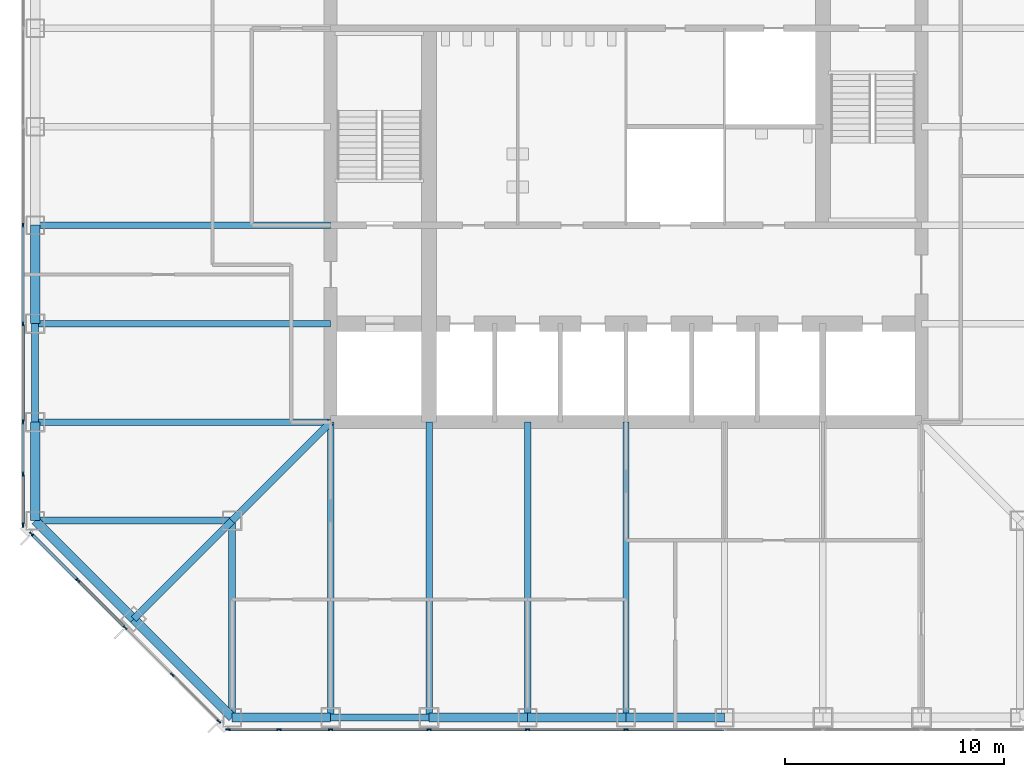
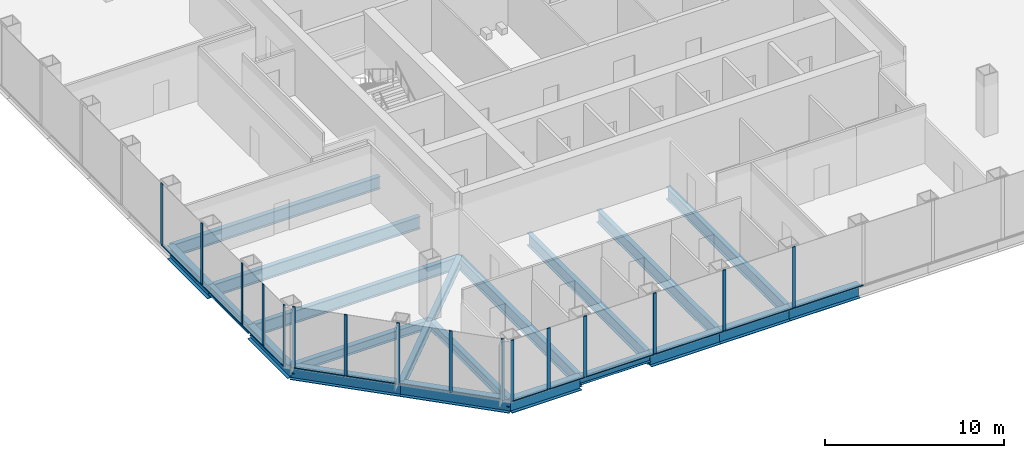
# One storey, part 2 of 12: 28 members, 21 beams, 3 elements without a shape of their own.
"""IFC4 building model written with IfcOpenShell, lengths in metres."""

from ifc_helpers import new_model, si_unit, direction, frame, origin, origin_2d, place, context, subcontext, project, spatial, rectangle, i_section, extrude, material, material_profile, profile_set, type_object, element, aggregate, save


model = new_model("IFC4")

# Units and contexts
model_context = context("Model", 3, precision=1e-05, world=origin(), true_north=direction((0.0, 1.0)))
body_context = subcontext(model_context, "Body", "Model", "MODEL_VIEW")
ifc_project = project(units=[si_unit("LENGTHUNIT", "METRE"), si_unit("AREAUNIT", "SQUARE_METRE"), si_unit("VOLUMEUNIT", "CUBIC_METRE"), si_unit("PLANEANGLEUNIT", "RADIAN"), si_unit("MASSUNIT", "GRAM", prefix="KILO")], contexts=[model_context])

# Site, building, storey
site_placement = place(None, origin())
site = spatial("IfcSite", under=ifc_project, at=site_placement, CompositionType="ELEMENT")
building_placement = place(site_placement, origin())
building = spatial("IfcBuilding", under=site, at=building_placement, Name="Corais Broadcast Tower", CompositionType="ELEMENT")
storey_placement = place(building_placement, frame((0.0, 0.0, 100.39990234375)))
storey = spatial("IfcBuildingStorey", under=building, at=storey_placement, Name="L22", CompositionType="ELEMENT", Elevation=100.39990234375)

# Beams
ifc_material_1 = material(Name="Steel ASTM A572 Grade 50", Category="steel")
ifc_material_profile_1 = material_profile(ifc_material_1, i_section(OverallWidth=0.323974609375, OverallDepth=0.611083984375, WebThickness=0.0126953125, FlangeThickness=0.01904296875, at=origin_2d()), Name="W610x155")
ifc_profile_set_1 = profile_set([ifc_material_profile_1], Name="Steel ASTM A572 Grade 50")
beam_type_1 = type_object("IfcBeamType", Name="Chamfer tie W610x155", PredefinedType="BEAM", material=ifc_profile_set_1)
beam_1_placement = place(storey_placement, frame((4.5, 4.5, -0.46533203125), z_axis=(0.707106781187, 0.707106781187, 0.0), x_axis=(-0.707106781187, 0.707106781187, 0.0)))
element("IfcBeam", 1, at=beam_1_placement, inside=storey, type_object=beam_type_1, Name="B5 B/4 to C/5", PredefinedType="BEAM", context=body_context, shape_type="SweptSolid", body=[
    extrude(i_section(OverallWidth=0.323974609375, OverallDepth=0.611083984375, WebThickness=0.0126953125, FlangeThickness=0.01904296875, at=origin_2d()), origin(), (0.0, 0.0, 1.0), 6.364013671875),
])
ifc_material_2 = material(Name="Steel ASTM A572 Grade 50", Category="steel")
ifc_material_profile_2 = material_profile(ifc_material_2, i_section(OverallWidth=0.323974609375, OverallDepth=0.611083984375, WebThickness=0.0126953125, FlangeThickness=0.01904296875, at=origin_2d()), Name="W610x155")
ifc_profile_set_2 = profile_set([ifc_material_profile_2], Name="Steel ASTM A572 Grade 50")
beam_type_2 = type_object("IfcBeamType", Name="Corner diagonal W610x155", PredefinedType="BEAM", material=ifc_profile_set_2)
beam_2_placement = place(storey_placement, frame((9.0, 9.0, -0.46533203125), z_axis=(0.707106781187, 0.707106781187, 0.0), x_axis=(-0.707106781187, 0.707106781187, 0.0)))
element("IfcBeam", 2, at=beam_2_placement, inside=storey, type_object=beam_type_2, Name="B6 C/5 to D/6", PredefinedType="BEAM", context=body_context, shape_type="SweptSolid", body=[
    extrude(i_section(OverallWidth=0.323974609375, OverallDepth=0.611083984375, WebThickness=0.0126953125, FlangeThickness=0.01904296875, at=origin_2d()), origin(), (0.0, 0.0, 1.0), 6.364013671875),
])
ifc_material_3 = material(Name="Steel ASTM A572 Grade 50", Category="steel")
ifc_material_profile_3 = material_profile(ifc_material_3, i_section(OverallWidth=0.323974609375, OverallDepth=0.611083984375, WebThickness=0.0126953125, FlangeThickness=0.01904296875, at=origin_2d()), Name="W610x155")
ifc_profile_set_3 = profile_set([ifc_material_profile_3], Name="Steel ASTM A572 Grade 50")
beam_type_3 = type_object("IfcBeamType", Name="Corner girder W610x155", PredefinedType="BEAM", material=ifc_profile_set_3)
for number, where, z_axis, x_axis, name in (
    (3, (0.0, 9.0, -0.46533203125), (1.0, 0.0, 0.0), (0.0, 1.0, 0.0), "B4 C/3 to C/5"),
    (4, (9.0, 0.0, -0.46533203125), (0.0, 1.0, 0.0), (-1.0, 0.0, 0.0), "B4 A/5 to C/5"),
):
    element("IfcBeam", number, at=place(storey_placement, frame(where, z_axis=z_axis, x_axis=x_axis)), inside=storey, type_object=beam_type_3, Name=name, PredefinedType="BEAM", context=body_context, shape_type="SweptSolid", body=[
        extrude(i_section(OverallWidth=0.323974609375, OverallDepth=0.611083984375, WebThickness=0.0126953125, FlangeThickness=0.01904296875, at=origin_2d()), origin(), (0.0, 0.0, 1.0), 9.0),
    ])
ifc_material_4 = material(Name="Steel ASTM A572 Grade 50", Category="steel")
ifc_material_profile_4 = material_profile(ifc_material_4, i_section(OverallWidth=0.2939453125, OverallDepth=0.85107421875, WebThickness=0.01611328125, FlangeThickness=0.02685546875, at=origin_2d()), Name="W840x226")
ifc_profile_set_4 = profile_set([ifc_material_profile_4], Name="Steel ASTM A572 Grade 50")
beam_type_4 = type_object("IfcBeamType", Name="Floor beam W840x226", PredefinedType="BEAM", material=ifc_profile_set_4)
for number, where, z_axis, x_axis, name in (
    (5, (0.0, 13.5, -0.58544921875), (1.0, 0.0, 0.0), (0.0, 1.0, 0.0), "B1 D/3 to D/6"),
    (6, (0.0, 18.0, -0.58544921875), (1.0, 0.0, 0.0), (0.0, 1.0, 0.0), "B1 E/3 to E/6"),
    (7, (0.0, 22.5, -0.58544921875), (1.0, 0.0, 0.0), (0.0, 1.0, 0.0), "B1 F/3 to F/6"),
    (8, (13.5, 0.0, -0.58544921875), (0.0, 1.0, 0.0), (-1.0, 0.0, 0.0), "B1 A/6 to D/6"),
    (9, (18.0, 0.0, -0.58544921875), (0.0, 1.0, 0.0), (-1.0, 0.0, 0.0), "B1 A/7 to D/7"),
    (10, (22.5, 0.0, -0.58544921875), (0.0, 1.0, 0.0), (-1.0, 0.0, 0.0), "B1 A/8 to D/8"),
    (11, (27.0, 0.0, -0.58544921875), (0.0, 1.0, 0.0), (-1.0, 0.0, 0.0), "B1 A/9 to D/9"),
):
    element("IfcBeam", number, at=place(storey_placement, frame(where, z_axis=z_axis, x_axis=x_axis)), inside=storey, type_object=beam_type_4, Name=name, PredefinedType="BEAM", context=body_context, shape_type="SweptSolid", body=[
        extrude(i_section(OverallWidth=0.2939453125, OverallDepth=0.85107421875, WebThickness=0.01611328125, FlangeThickness=0.02685546875, at=origin_2d()), origin(), (0.0, 0.0, 1.0), 13.5),
    ])

# Curtain wall, members
ifc_material_5 = material(Name="Aluminium and glass", Category="aluminium")
curtain_wall_type = type_object("IfcCurtainWallType", Name="Unitised fritted curtain wall CW1", PredefinedType="NOTDEFINED", material=ifc_material_5)
curtain_wall_1_placement = place(storey_placement, origin())
curtain_wall_1 = element("IfcCurtainWall", 12, at=curtain_wall_1_placement, inside=storey, type_object=curtain_wall_type, Name="CW1 curtain wall L22 1", PredefinedType="NOTDEFINED")
ifc_material_6 = material(Name="Aluminium 6063-T6", Category="aluminium")
ifc_material_profile_5 = material_profile(ifc_material_6, rectangle(XDim=0.06494140625, YDim=0.199951171875, at=origin_2d()), Name="Mullion CW1 65x200")
ifc_profile_set_5 = profile_set([ifc_material_profile_5], Name="Aluminium 6063-T6")
member_type_1 = type_object("IfcMemberType", Name="Mullion CW1 65x200", PredefinedType="MULLION", material=ifc_profile_set_5)
member_1_placement = place(storey_placement, frame((8.3955078125, -0.17333984375, 0.0), z_axis=(0.0, 0.0, 1.0), x_axis=(-0.707106781187, -0.707106781187, 0.0)))
member_1 = element("IfcMember", 13, at=member_1_placement, type_object=member_type_1, Name="CW1 mullion 1", PredefinedType="MULLION", context=body_context, shape_type="SweptSolid", body=[
    extrude(rectangle(XDim=0.06494140625, YDim=0.199951171875, at=origin_2d()), origin(), (0.0, 0.0, 1.0), 4.2001953125),
])
member_2_placement = place(storey_placement, frame((6.264892578125, 1.957275390625, 0.0), z_axis=(0.0, 0.0, 1.0), x_axis=(-0.707106781187, -0.707106781187, 0.0)))
member_2 = element("IfcMember", 14, at=member_2_placement, type_object=member_type_1, Name="CW1 mullion 2", PredefinedType="MULLION", context=body_context, shape_type="SweptSolid", body=[
    extrude(rectangle(XDim=0.06494140625, YDim=0.199951171875, at=origin_2d()), origin(), (0.0, 0.0, 1.0), 4.2001953125),
])
member_3_placement = place(storey_placement, frame((4.111083984375, 4.111083984375, 0.0), z_axis=(0.0, 0.0, 1.0), x_axis=(-0.707106781187, -0.707106781187, 0.0)))
member_3 = element("IfcMember", 15, at=member_3_placement, type_object=member_type_1, Name="CW1 mullion 3", PredefinedType="MULLION", context=body_context, shape_type="SweptSolid", body=[
    extrude(rectangle(XDim=0.06494140625, YDim=0.199951171875, at=origin_2d()), origin(), (0.0, 0.0, 1.0), 4.2001953125),
])
member_4_placement = place(storey_placement, frame((1.957275390625, 6.264892578125, 0.0), z_axis=(0.0, 0.0, 1.0), x_axis=(-0.707106781187, -0.707106781187, 0.0)))
member_4 = element("IfcMember", 16, at=member_4_placement, type_object=member_type_1, Name="CW1 mullion 4", PredefinedType="MULLION", context=body_context, shape_type="SweptSolid", body=[
    extrude(rectangle(XDim=0.06494140625, YDim=0.199951171875, at=origin_2d()), origin(), (0.0, 0.0, 1.0), 4.2001953125),
])
member_5_placement = place(storey_placement, frame((-0.17333984375, 8.3955078125, 0.0), z_axis=(0.0, 0.0, 1.0), x_axis=(-0.707106781187, -0.707106781187, 0.0)))
member_5 = element("IfcMember", 17, at=member_5_placement, type_object=member_type_1, Name="CW1 mullion 5", PredefinedType="MULLION", context=body_context, shape_type="SweptSolid", body=[
    extrude(rectangle(XDim=0.06494140625, YDim=0.199951171875, at=origin_2d()), origin(), (0.0, 0.0, 1.0), 4.2001953125),
])

curtain_wall_2_placement = place(storey_placement, origin())
curtain_wall_2 = element("IfcCurtainWall", 18, at=curtain_wall_2_placement, inside=storey, type_object=curtain_wall_type, Name="CW1 curtain wall L22 2", PredefinedType="NOTDEFINED")
member_6_placement = place(storey_placement, frame((-0.550048828125, 8.8046875, 0.0), z_axis=(0.0, 0.0, 1.0), x_axis=(-1.0, 0.0, 0.0)))
member_6 = element("IfcMember", 19, at=member_6_placement, type_object=member_type_1, Name="CW1 mullion 1", PredefinedType="MULLION", context=body_context, shape_type="SweptSolid", body=[
    extrude(rectangle(XDim=0.06494140625, YDim=0.199951171875, at=origin_2d()), origin(), (0.0, 0.0, 1.0), 4.2001953125),
])
member_7_placement = place(storey_placement, frame((-0.550048828125, 11.135986328125, 0.0), z_axis=(0.0, 0.0, 1.0), x_axis=(-1.0, 0.0, 0.0)))
member_7 = element("IfcMember", 20, at=member_7_placement, type_object=member_type_1, Name="CW1 mullion 2", PredefinedType="MULLION", context=body_context, shape_type="SweptSolid", body=[
    extrude(rectangle(XDim=0.06494140625, YDim=0.199951171875, at=origin_2d()), origin(), (0.0, 0.0, 1.0), 4.2001953125),
])
member_8_placement = place(storey_placement, frame((-0.550048828125, 13.5, 0.0), z_axis=(0.0, 0.0, 1.0), x_axis=(-1.0, 0.0, 0.0)))
member_8 = element("IfcMember", 21, at=member_8_placement, type_object=member_type_1, Name="CW1 mullion 3", PredefinedType="MULLION", context=body_context, shape_type="SweptSolid", body=[
    extrude(rectangle(XDim=0.06494140625, YDim=0.199951171875, at=origin_2d()), origin(), (0.0, 0.0, 1.0), 4.2001953125),
])
member_9_placement = place(storey_placement, frame((-0.550048828125, 18.0, 0.0), z_axis=(0.0, 0.0, 1.0), x_axis=(-1.0, 0.0, 0.0)))
member_9 = element("IfcMember", 22, at=member_9_placement, type_object=member_type_1, Name="CW1 mullion 4", PredefinedType="MULLION", context=body_context, shape_type="SweptSolid", body=[
    extrude(rectangle(XDim=0.06494140625, YDim=0.199951171875, at=origin_2d()), origin(), (0.0, 0.0, 1.0), 4.2001953125),
])
member_10_placement = place(storey_placement, frame((-0.550048828125, 22.5, 0.0), z_axis=(0.0, 0.0, 1.0), x_axis=(-1.0, 0.0, 0.0)))
member_10 = element("IfcMember", 23, at=member_10_placement, type_object=member_type_1, Name="CW1 mullion 5", PredefinedType="MULLION", context=body_context, shape_type="SweptSolid", body=[
    extrude(rectangle(XDim=0.06494140625, YDim=0.199951171875, at=origin_2d()), origin(), (0.0, 0.0, 1.0), 4.2001953125),
])

curtain_wall_3_placement = place(storey_placement, origin())
curtain_wall_3 = element("IfcCurtainWall", 24, at=curtain_wall_3_placement, inside=storey, type_object=curtain_wall_type, Name="CW1 curtain wall L22 8", PredefinedType="NOTDEFINED")
member_11_placement = place(storey_placement, frame((27.0, -0.550048828125, 0.0), z_axis=(0.0, 0.0, 1.0), x_axis=(0.0, -1.0, 0.0)))
member_11 = element("IfcMember", 25, at=member_11_placement, type_object=member_type_1, Name="CW1 mullion 6", PredefinedType="MULLION", context=body_context, shape_type="SweptSolid", body=[
    extrude(rectangle(XDim=0.06494140625, YDim=0.199951171875, at=origin_2d()), origin(), (0.0, 0.0, 1.0), 4.2001953125),
])
member_12_placement = place(storey_placement, frame((22.5, -0.550048828125, 0.0), z_axis=(0.0, 0.0, 1.0), x_axis=(0.0, -1.0, 0.0)))
member_12 = element("IfcMember", 26, at=member_12_placement, type_object=member_type_1, Name="CW1 mullion 7", PredefinedType="MULLION", context=body_context, shape_type="SweptSolid", body=[
    extrude(rectangle(XDim=0.06494140625, YDim=0.199951171875, at=origin_2d()), origin(), (0.0, 0.0, 1.0), 4.2001953125),
])
member_13_placement = place(storey_placement, frame((18.0, -0.550048828125, 0.0), z_axis=(0.0, 0.0, 1.0), x_axis=(0.0, -1.0, 0.0)))
member_13 = element("IfcMember", 27, at=member_13_placement, type_object=member_type_1, Name="CW1 mullion 8", PredefinedType="MULLION", context=body_context, shape_type="SweptSolid", body=[
    extrude(rectangle(XDim=0.06494140625, YDim=0.199951171875, at=origin_2d()), origin(), (0.0, 0.0, 1.0), 4.2001953125),
])
member_14_placement = place(storey_placement, frame((13.5, -0.550048828125, 0.0), z_axis=(0.0, 0.0, 1.0), x_axis=(0.0, -1.0, 0.0)))
member_14 = element("IfcMember", 28, at=member_14_placement, type_object=member_type_1, Name="CW1 mullion 9", PredefinedType="MULLION", context=body_context, shape_type="SweptSolid", body=[
    extrude(rectangle(XDim=0.06494140625, YDim=0.199951171875, at=origin_2d()), origin(), (0.0, 0.0, 1.0), 4.2001953125),
])
member_15_placement = place(storey_placement, frame((11.135986328125, -0.550048828125, 0.0), z_axis=(0.0, 0.0, 1.0), x_axis=(0.0, -1.0, 0.0)))
member_15 = element("IfcMember", 29, at=member_15_placement, type_object=member_type_1, Name="CW1 mullion 10", PredefinedType="MULLION", context=body_context, shape_type="SweptSolid", body=[
    extrude(rectangle(XDim=0.06494140625, YDim=0.199951171875, at=origin_2d()), origin(), (0.0, 0.0, 1.0), 4.2001953125),
])
member_16_placement = place(storey_placement, frame((8.8046875, -0.550048828125, 0.0), z_axis=(0.0, 0.0, 1.0), x_axis=(0.0, -1.0, 0.0)))
member_16 = element("IfcMember", 30, at=member_16_placement, type_object=member_type_1, Name="CW1 mullion 11", PredefinedType="MULLION", context=body_context, shape_type="SweptSolid", body=[
    extrude(rectangle(XDim=0.06494140625, YDim=0.199951171875, at=origin_2d()), origin(), (0.0, 0.0, 1.0), 4.2001953125),
])

# Beams
ifc_material_7 = material(Name="Steel ASTM A572 Grade 50", Category="steel")
ifc_material_profile_6 = material_profile(ifc_material_7, i_section(OverallWidth=0.323974609375, OverallDepth=0.611083984375, WebThickness=0.0126953125, FlangeThickness=0.01904296875, at=origin_2d()), Name="W610x155")
ifc_profile_set_6 = profile_set([ifc_material_profile_6], Name="Steel ASTM A572 Grade 50")
beam_type_5 = type_object("IfcBeamType", Name="Pinned spandrel W610x155", PredefinedType="BEAM", material=ifc_profile_set_6)
for number, where, z_axis, x_axis, name in (
    (31, (0.0, 18.0, -0.46533203125), (0.0, -1.0, 0.0), (1.0, 0.0, 0.0), "SB6 E/3 to D/3"),
    (32, (13.5, 0.0, -0.46533203125), (1.0, 0.0, 0.0), (0.0, 1.0, 0.0), "SB6 A/6 to A/7"),
):
    element("IfcBeam", number, at=place(storey_placement, frame(where, z_axis=z_axis, x_axis=x_axis)), inside=storey, type_object=beam_type_5, Name=name, PredefinedType="BEAM", context=body_context, shape_type="SweptSolid", body=[
        extrude(i_section(OverallWidth=0.323974609375, OverallDepth=0.611083984375, WebThickness=0.0126953125, FlangeThickness=0.01904296875, at=origin_2d()), origin(), (0.0, 0.0, 1.0), 4.5),
    ])
ifc_material_8 = material(Name="Steel ASTM A572 Grade 50", Category="steel")
ifc_material_profile_7 = material_profile(ifc_material_8, i_section(OverallWidth=0.4189453125, OverallDepth=0.94189453125, WebThickness=0.022216796875, FlangeThickness=0.03662109375, at=origin_2d()), Name="W920x345")
ifc_profile_set_7 = profile_set([ifc_material_profile_7], Name="Steel ASTM A572 Grade 50")
beam_type_6 = type_object("IfcBeamType", Name="Transfer spandrel W920x345", PredefinedType="BEAM", material=ifc_profile_set_7)
for number, where, z_axis, x_axis, name in (
    (33, (0.0, 13.5, -0.630859375), (0.0, -1.0, 0.0), (1.0, 0.0, 0.0), "SB4 D/3 to C/3"),
    (34, (0.0, 22.5, -0.630859375), (0.0, -1.0, 0.0), (1.0, 0.0, 0.0), "SB4 F/3 to E/3"),
):
    element("IfcBeam", number, at=place(storey_placement, frame(where, z_axis=z_axis, x_axis=x_axis)), inside=storey, type_object=beam_type_6, Name=name, PredefinedType="BEAM", context=body_context, shape_type="SweptSolid", body=[
        extrude(i_section(OverallWidth=0.4189453125, OverallDepth=0.94189453125, WebThickness=0.022216796875, FlangeThickness=0.03662109375, at=origin_2d()), origin(), (0.0, 0.0, 1.0), 4.5),
    ])
beam_3_placement = place(storey_placement, frame((0.0, 9.0, -0.630859375), z_axis=(0.707106781187, -0.707106781187, 0.0), x_axis=(0.707106781187, 0.707106781187, 0.0)))
element("IfcBeam", 35, at=beam_3_placement, inside=storey, type_object=beam_type_6, Name="SB4 C/3 to B/4", PredefinedType="BEAM", context=body_context, shape_type="SweptSolid", body=[
    extrude(i_section(OverallWidth=0.4189453125, OverallDepth=0.94189453125, WebThickness=0.022216796875, FlangeThickness=0.03662109375, at=origin_2d()), origin(), (0.0, 0.0, 1.0), 6.364013671875),
])
for number, where, z_axis, x_axis, name in (
    (36, (18.0, 0.0, -0.630859375), (1.0, 0.0, 0.0), (0.0, 1.0, 0.0), "SB4 A/7 to A/8"),
    (37, (22.5, 0.0, -0.630859375), (1.0, 0.0, 0.0), (0.0, 1.0, 0.0), "SB4 A/8 to A/9"),
    (38, (27.0, 0.0, -0.630859375), (1.0, 0.0, 0.0), (0.0, 1.0, 0.0), "SB4 A/9 to A/10"),
):
    element("IfcBeam", number, at=place(storey_placement, frame(where, z_axis=z_axis, x_axis=x_axis)), inside=storey, type_object=beam_type_6, Name=name, PredefinedType="BEAM", context=body_context, shape_type="SweptSolid", body=[
        extrude(i_section(OverallWidth=0.4189453125, OverallDepth=0.94189453125, WebThickness=0.022216796875, FlangeThickness=0.03662109375, at=origin_2d()), origin(), (0.0, 0.0, 1.0), 4.5),
    ])
beam_4_placement = place(storey_placement, frame((4.5, 4.5, -0.630859375), z_axis=(0.707106781187, -0.707106781187, 0.0), x_axis=(0.707106781187, 0.707106781187, 0.0)))
element("IfcBeam", 39, at=beam_4_placement, inside=storey, type_object=beam_type_6, Name="SB4 B/4 to A/5", PredefinedType="BEAM", context=body_context, shape_type="SweptSolid", body=[
    extrude(i_section(OverallWidth=0.4189453125, OverallDepth=0.94189453125, WebThickness=0.022216796875, FlangeThickness=0.03662109375, at=origin_2d()), origin(), (0.0, 0.0, 1.0), 6.364013671875),
])
beam_5_placement = place(storey_placement, frame((9.0, 0.0, -0.630859375), z_axis=(1.0, 0.0, 0.0), x_axis=(0.0, 1.0, 0.0)))
element("IfcBeam", 40, at=beam_5_placement, inside=storey, type_object=beam_type_6, Name="SB4 A/5 to A/6", PredefinedType="BEAM", context=body_context, shape_type="SweptSolid", body=[
    extrude(i_section(OverallWidth=0.4189453125, OverallDepth=0.94189453125, WebThickness=0.022216796875, FlangeThickness=0.03662109375, at=origin_2d()), origin(), (0.0, 0.0, 1.0), 4.5),
])

# Member
ifc_material_9 = material(Name="Aluminium 6063-T6", Category="aluminium")
ifc_material_profile_8 = material_profile(ifc_material_9, rectangle(XDim=0.139892578125, YDim=0.06494140625, at=origin_2d()), Name="Transom CW1 65x140")
ifc_profile_set_8 = profile_set([ifc_material_profile_8], Name="Aluminium 6063-T6")
member_type_2 = type_object("IfcMemberType", Name="Transom CW1 65x140", PredefinedType="USERDEFINED", material=ifc_profile_set_8)
member_17_placement = place(storey_placement, frame((4.088134765625, 4.134033203125, 0.03271484375), z_axis=(-0.707106781187, 0.707106781187, 0.0), x_axis=(-0.707106781187, -0.707106781187, 0.0)))
member_17 = element("IfcMember", 41, at=member_17_placement, type_object=member_type_2, Name="CW1 transom 3.1", ObjectType="TRANSOM", PredefinedType="USERDEFINED", context=body_context, shape_type="SweptSolid", body=[
    extrude(rectangle(XDim=0.139892578125, YDim=0.06494140625, at=origin_2d()), origin(), (0.0, 0.0, 1.0), 2.98095703125),
])

member_18_placement = place(storey_placement, frame((1.934326171875, 6.287841796875, 0.03271484375), z_axis=(-0.707106781187, 0.707106781187, 0.0), x_axis=(-0.707106781187, -0.707106781187, 0.0)))
member_18 = element("IfcMember", 42, at=member_18_placement, type_object=member_type_2, Name="CW1 transom 4.1", ObjectType="TRANSOM", PredefinedType="USERDEFINED", context=body_context, shape_type="SweptSolid", body=[
    extrude(rectangle(XDim=0.139892578125, YDim=0.06494140625, at=origin_2d()), origin(), (0.0, 0.0, 1.0), 2.9482421875),
])

aggregate(curtain_wall_1, [member_1, member_2, member_3, member_4, member_5, member_17, member_18])

member_19_placement = place(storey_placement, frame((-0.550048828125, 8.837158203125, 0.03271484375), z_axis=(0.0, 1.0, 0.0), x_axis=(-1.0, 0.0, 0.0)))
member_19 = element("IfcMember", 43, at=member_19_placement, type_object=member_type_2, Name="CW1 transom 1.1", ObjectType="TRANSOM", PredefinedType="USERDEFINED", context=body_context, shape_type="SweptSolid", body=[
    extrude(rectangle(XDim=0.139892578125, YDim=0.06494140625, at=origin_2d()), origin(), (0.0, 0.0, 1.0), 2.266357421875),
])

member_20_placement = place(storey_placement, frame((-0.550048828125, 11.168701171875, 0.03271484375), z_axis=(0.0, 1.0, 0.0), x_axis=(-1.0, 0.0, 0.0)))
member_20 = element("IfcMember", 44, at=member_20_placement, type_object=member_type_2, Name="CW1 transom 2.1", ObjectType="TRANSOM", PredefinedType="USERDEFINED", context=body_context, shape_type="SweptSolid", body=[
    extrude(rectangle(XDim=0.139892578125, YDim=0.06494140625, at=origin_2d()), origin(), (0.0, 0.0, 1.0), 2.298828125),
])

member_21_placement = place(storey_placement, frame((-0.550048828125, 13.532470703125, 0.03271484375), z_axis=(0.0, 1.0, 0.0), x_axis=(-1.0, 0.0, 0.0)))
member_21 = element("IfcMember", 45, at=member_21_placement, type_object=member_type_2, Name="CW1 transom 3.1", ObjectType="TRANSOM", PredefinedType="USERDEFINED", context=body_context, shape_type="SweptSolid", body=[
    extrude(rectangle(XDim=0.139892578125, YDim=0.06494140625, at=origin_2d()), origin(), (0.0, 0.0, 1.0), 4.43505859375),
])

member_22_placement = place(storey_placement, frame((-0.550048828125, 18.032470703125, 0.03271484375), z_axis=(0.0, 1.0, 0.0), x_axis=(-1.0, 0.0, 0.0)))
member_22 = element("IfcMember", 46, at=member_22_placement, type_object=member_type_2, Name="CW1 transom 4.1", ObjectType="TRANSOM", PredefinedType="USERDEFINED", context=body_context, shape_type="SweptSolid", body=[
    extrude(rectangle(XDim=0.139892578125, YDim=0.06494140625, at=origin_2d()), origin(), (0.0, 0.0, 1.0), 4.43505859375),
])

aggregate(curtain_wall_2, [member_6, member_7, member_8, member_9, member_10, member_19, member_20, member_21, member_22])

member_23_placement = place(storey_placement, frame((31.467529296875, -0.550048828125, 0.03271484375), z_axis=(-1.0, 0.0, 0.0), x_axis=(0.0, -1.0, 0.0)))
member_23 = element("IfcMember", 47, at=member_23_placement, type_object=member_type_2, Name="CW1 transom 5.1", ObjectType="TRANSOM", PredefinedType="USERDEFINED", context=body_context, shape_type="SweptSolid", body=[
    extrude(rectangle(XDim=0.139892578125, YDim=0.06494140625, at=origin_2d()), origin(), (0.0, 0.0, 1.0), 4.43505859375),
])

member_24_placement = place(storey_placement, frame((26.967529296875, -0.550048828125, 0.03271484375), z_axis=(-1.0, 0.0, 0.0), x_axis=(0.0, -1.0, 0.0)))
member_24 = element("IfcMember", 48, at=member_24_placement, type_object=member_type_2, Name="CW1 transom 6.1", ObjectType="TRANSOM", PredefinedType="USERDEFINED", context=body_context, shape_type="SweptSolid", body=[
    extrude(rectangle(XDim=0.139892578125, YDim=0.06494140625, at=origin_2d()), origin(), (0.0, 0.0, 1.0), 4.43505859375),
])

member_25_placement = place(storey_placement, frame((22.467529296875, -0.550048828125, 0.03271484375), z_axis=(-1.0, 0.0, 0.0), x_axis=(0.0, -1.0, 0.0)))
member_25 = element("IfcMember", 49, at=member_25_placement, type_object=member_type_2, Name="CW1 transom 7.1", ObjectType="TRANSOM", PredefinedType="USERDEFINED", context=body_context, shape_type="SweptSolid", body=[
    extrude(rectangle(XDim=0.139892578125, YDim=0.06494140625, at=origin_2d()), origin(), (0.0, 0.0, 1.0), 4.43505859375),
])

member_26_placement = place(storey_placement, frame((17.967529296875, -0.550048828125, 0.03271484375), z_axis=(-1.0, 0.0, 0.0), x_axis=(0.0, -1.0, 0.0)))
member_26 = element("IfcMember", 50, at=member_26_placement, type_object=member_type_2, Name="CW1 transom 8.1", ObjectType="TRANSOM", PredefinedType="USERDEFINED", context=body_context, shape_type="SweptSolid", body=[
    extrude(rectangle(XDim=0.139892578125, YDim=0.06494140625, at=origin_2d()), origin(), (0.0, 0.0, 1.0), 4.43505859375),
])

member_27_placement = place(storey_placement, frame((13.467529296875, -0.550048828125, 0.03271484375), z_axis=(-1.0, 0.0, 0.0), x_axis=(0.0, -1.0, 0.0)))
member_27 = element("IfcMember", 51, at=member_27_placement, type_object=member_type_2, Name="CW1 transom 9.1", ObjectType="TRANSOM", PredefinedType="USERDEFINED", context=body_context, shape_type="SweptSolid", body=[
    extrude(rectangle(XDim=0.139892578125, YDim=0.06494140625, at=origin_2d()), origin(), (0.0, 0.0, 1.0), 2.298828125),
])

member_28_placement = place(storey_placement, frame((11.103515625, -0.550048828125, 0.03271484375), z_axis=(-1.0, 0.0, 0.0), x_axis=(0.0, -1.0, 0.0)))
member_28 = element("IfcMember", 52, at=member_28_placement, type_object=member_type_2, Name="CW1 transom 10.1", ObjectType="TRANSOM", PredefinedType="USERDEFINED", context=body_context, shape_type="SweptSolid", body=[
    extrude(rectangle(XDim=0.139892578125, YDim=0.06494140625, at=origin_2d()), origin(), (0.0, 0.0, 1.0), 2.266357421875),
])

aggregate(curtain_wall_3, [member_11, member_12, member_13, member_14, member_15, member_16, member_23, member_24, member_25, member_26, member_27, member_28])

save(model, "model.ifc")
